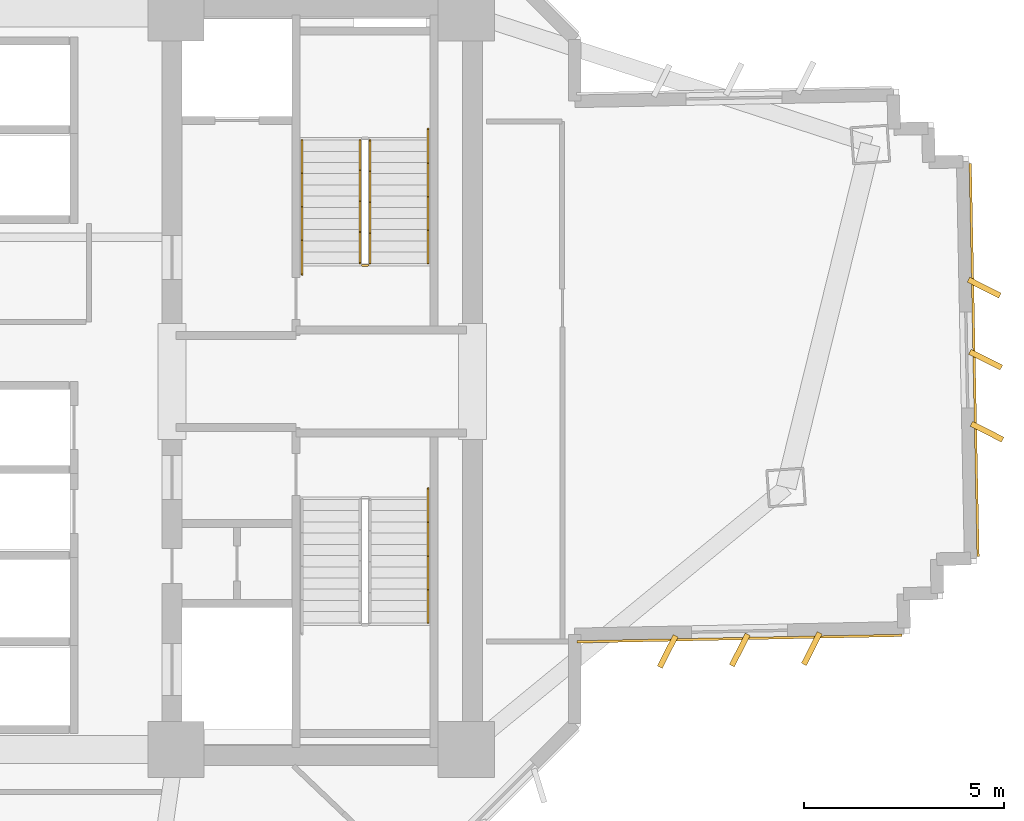
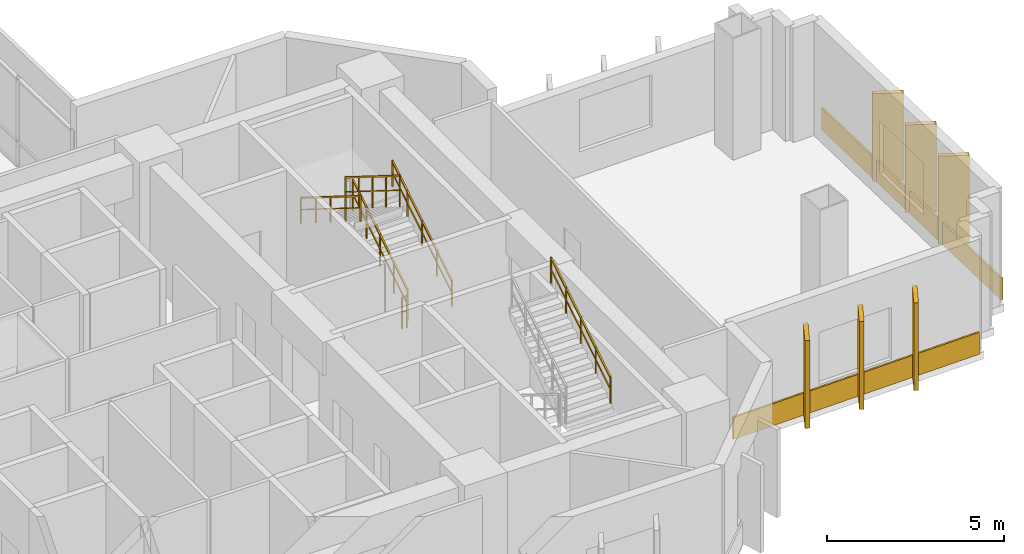
# One storey, part 13 of 15: 8 coverings, 6 railings.
"""IFC4 building model written with IfcOpenShell, lengths in metres."""

from ifc_helpers import new_model, si_unit, direction, frame, origin, origin_2d, place, context, subcontext, project, spatial, rectangle, extrude, source, transform, mapped, material, layer, layer_set, type_object, element, save


model = new_model("IFC4")

# Units and contexts
model_context = context("Model", 3, precision=1e-05, world=origin(), true_north=direction((0.0, 1.0)))
body_context = subcontext(model_context, "Body", "Model", "MODEL_VIEW")
ifc_project = project(units=[si_unit("LENGTHUNIT", "METRE"), si_unit("AREAUNIT", "SQUARE_METRE"), si_unit("VOLUMEUNIT", "CUBIC_METRE"), si_unit("PLANEANGLEUNIT", "RADIAN"), si_unit("MASSUNIT", "GRAM", prefix="KILO")], contexts=[model_context])

# Site, building, storey
site_placement = place(None, origin())
site = spatial("IfcSite", under=ifc_project, at=site_placement, CompositionType="ELEMENT")
building_placement = place(site_placement, origin())
building = spatial("IfcBuilding", under=site, at=building_placement, Name="Zahravan Cultural Tower", CompositionType="ELEMENT")
storey_placement = place(building_placement, frame((0.0, 0.0, 41.699951171875)))
storey = spatial("IfcBuildingStorey", under=building, at=storey_placement, Name="L08", CompositionType="ELEMENT", Elevation=41.699951171875)

# Railings
ifc_material_1 = material(Name="Steel ASTM A572 Grade 50", Category="steel")
railing_type_1 = type_object("IfcRailingType", Name="RL-STAIR-GRD1150", PredefinedType="BALUSTRADE", material=ifc_material_1)
railing_1_placement = place(storey_placement, frame((47.949951171875, 29.949951171875, 0.175048828125)))
element("IfcRailing", 1, at=railing_1_placement, inside=storey, type_object=railing_type_1, Name="L08 ST-E1 stair guard 1", PredefinedType="BALUSTRADE", context=body_context, shape_type="SweptSolid", body=[
    extrude(rectangle(XDim=0.05, YDim=0.05, at=origin_2d()), frame((0.0, 0.0, 1.0751953125), z_axis=(0.0, 0.847998304005, 0.529998940003), x_axis=(-1.0, 0.0, 0.0)), (0.0, 0.0, 1.0), 3.632080078125),
    extrude(rectangle(XDim=0.032, YDim=0.032, at=origin_2d()), frame((0.0, 0.0, 0.572021484375), z_axis=(0.0, 0.847998304005, 0.529998940003), x_axis=(-1.0, 0.0, 0.0)), (0.0, 0.0, 1.0), 3.632080078125),
    extrude(rectangle(XDim=0.04, YDim=0.04, at=origin_2d()), origin(), (0.0, 0.0, 1.0), 1.10009765625),
    extrude(rectangle(XDim=0.04, YDim=0.04, at=origin_2d()), frame((0.0, 0.77001953125, 0.481201171875)), (0.0, 0.0, 1.0), 1.10009765625),
    extrude(rectangle(XDim=0.04, YDim=0.04, at=origin_2d()), frame((0.0, 1.5400390625, 0.96240234375)), (0.0, 0.0, 1.0), 1.10009765625),
    extrude(rectangle(XDim=0.04, YDim=0.04, at=origin_2d()), frame((0.0, 2.31005859375, 1.44384765625)), (0.0, 0.0, 1.0), 1.10009765625),
    extrude(rectangle(XDim=0.04, YDim=0.04, at=origin_2d()), frame((0.0, 3.080078125, 1.925048828125)), (0.0, 0.0, 1.0), 1.10009765625),
])
railing_2_placement = place(storey_placement, frame((47.699951171875, 33.030029296875, 2.275146484375)))
element("IfcRailing", 2, at=railing_2_placement, inside=storey, type_object=railing_type_1, Name="L08 ST-E1 stair guard 3", PredefinedType="BALUSTRADE", context=body_context, shape_type="SweptSolid", body=[
    extrude(rectangle(XDim=0.05, YDim=0.05, at=origin_2d()), frame((0.0, 0.0, 1.0751953125), z_axis=(0.0, -0.848028513186, 0.529950602248), x_axis=(1.0, 0.0, 0.0)), (0.0, 0.0, 1.0), 3.632080078125),
    extrude(rectangle(XDim=0.032, YDim=0.032, at=origin_2d()), frame((0.0, 0.0, 0.572021484375), z_axis=(0.0, -0.848028513186, 0.529950602248), x_axis=(1.0, 0.0, 0.0)), (0.0, 0.0, 1.0), 3.632080078125),
    extrude(rectangle(XDim=0.04, YDim=0.04, at=origin_2d()), origin(), (0.0, 0.0, 1.0), 1.10009765625),
    extrude(rectangle(XDim=0.04, YDim=0.04, at=origin_2d()), frame((0.0, -0.77001953125, 0.481201171875)), (0.0, 0.0, 1.0), 1.10009765625),
    extrude(rectangle(XDim=0.04, YDim=0.04, at=origin_2d()), frame((0.0, -1.5400390625, 0.96240234375)), (0.0, 0.0, 1.0), 1.10009765625),
    extrude(rectangle(XDim=0.04, YDim=0.04, at=origin_2d()), frame((0.0, -2.31005859375, 1.443603515625)), (0.0, 0.0, 1.0), 1.10009765625),
    extrude(rectangle(XDim=0.04, YDim=0.04, at=origin_2d()), frame((0.0, -3.080078125, 1.9248046875)), (0.0, 0.0, 1.0), 1.10009765625),
])
railing_3_placement = place(storey_placement, frame((47.89990234375, 29.89990234375, 0.0)))
element("IfcRailing", 3, at=railing_3_placement, inside=storey, type_object=railing_type_1, Name="L08 ST-E1 stair guard 4", PredefinedType="BALUSTRADE", context=body_context, shape_type="SweptSolid", body=[
    extrude(rectangle(XDim=0.05, YDim=0.05, at=origin_2d()), frame((0.0, 0.0, 1.0751953125), z_axis=(-1.0, 0.0, 0.0), x_axis=(0.0, -1.0, 0.0)), (0.0, 0.0, 1.0), 0.14990234375),
    extrude(rectangle(XDim=0.032, YDim=0.032, at=origin_2d()), frame((0.0, 0.0, 0.572021484375), z_axis=(-1.0, 0.0, 0.0), x_axis=(0.0, -1.0, 0.0)), (0.0, 0.0, 1.0), 0.14990234375),
    extrude(rectangle(XDim=0.04, YDim=0.04, at=origin_2d()), origin(), (0.0, 0.0, 1.0), 1.10009765625),
    extrude(rectangle(XDim=0.04, YDim=0.04, at=origin_2d()), frame((-0.14990234375, 0.0, 0.0)), (0.0, 0.0, 1.0), 1.10009765625),
])
railing_type_2 = type_object("IfcRailingType", Name="RL-STAIR-HR900", PredefinedType="HANDRAIL", material=ifc_material_1)
railing_4_placement = place(storey_placement, frame((49.39990234375, 29.949951171875, 0.175048828125)))
element("IfcRailing", 4, at=railing_4_placement, inside=storey, type_object=railing_type_2, Name="L08 ST-E1 stair handrail 1", PredefinedType="HANDRAIL", context=body_context, shape_type="SweptSolid", body=[
    extrude(rectangle(XDim=0.05, YDim=0.05, at=origin_2d()), frame((0.0, 0.0, 0.875), z_axis=(0.0, 0.847994842521, 0.530004478338), x_axis=(-1.0, 0.0, 0.0)), (0.0, 0.0, 1.0), 3.96240234375),
    extrude(rectangle(XDim=0.032, YDim=0.032, at=origin_2d()), frame((0.0, 0.0, 0.468017578125), z_axis=(0.0, 0.847994842521, 0.530004478338), x_axis=(-1.0, 0.0, 0.0)), (0.0, 0.0, 1.0), 3.96240234375),
    extrude(rectangle(XDim=0.04, YDim=0.04, at=origin_2d()), origin(), (0.0, 0.0, 1.0), 0.89990234375),
    extrude(rectangle(XDim=0.04, YDim=0.04, at=origin_2d()), frame((0.0, 0.840087890625, 0.52490234375)), (0.0, 0.0, 1.0), 0.89990234375),
    extrude(rectangle(XDim=0.04, YDim=0.04, at=origin_2d()), frame((0.0, 1.68017578125, 1.050048828125)), (0.0, 0.0, 1.0), 0.89990234375),
    extrude(rectangle(XDim=0.04, YDim=0.04, at=origin_2d()), frame((0.0, 2.52001953125, 1.5751953125)), (0.0, 0.0, 1.0), 0.89990234375),
    extrude(rectangle(XDim=0.04, YDim=0.04, at=origin_2d()), frame((0.0, 3.360107421875, 2.10009765625)), (0.0, 0.0, 1.0), 0.89990234375),
])
railing_5_placement = place(storey_placement, frame((46.25, 33.030029296875, 2.275146484375)))
element("IfcRailing", 5, at=railing_5_placement, inside=storey, type_object=railing_type_2, Name="L08 ST-E1 stair handrail 2", PredefinedType="HANDRAIL", context=body_context, shape_type="SweptSolid", body=[
    extrude(rectangle(XDim=0.05, YDim=0.05, at=origin_2d()), frame((0.0, 0.0, 0.875), z_axis=(0.0, -0.848022534174, 0.529960169762), x_axis=(1.0, 0.0, 0.0)), (0.0, 0.0, 1.0), 3.96240234375),
    extrude(rectangle(XDim=0.032, YDim=0.032, at=origin_2d()), frame((0.0, 0.0, 0.468017578125), z_axis=(0.0, -0.848022534174, 0.529960169762), x_axis=(1.0, 0.0, 0.0)), (0.0, 0.0, 1.0), 3.96240234375),
    extrude(rectangle(XDim=0.04, YDim=0.04, at=origin_2d()), origin(), (0.0, 0.0, 1.0), 0.89990234375),
    extrude(rectangle(XDim=0.04, YDim=0.04, at=origin_2d()), frame((0.0, -0.840087890625, 0.52490234375)), (0.0, 0.0, 1.0), 0.89990234375),
    extrude(rectangle(XDim=0.04, YDim=0.04, at=origin_2d()), frame((0.0, -1.68017578125, 1.0498046875)), (0.0, 0.0, 1.0), 0.89990234375),
    extrude(rectangle(XDim=0.04, YDim=0.04, at=origin_2d()), frame((0.0, -2.52001953125, 1.574951171875)), (0.0, 0.0, 1.0), 0.89990234375),
    extrude(rectangle(XDim=0.04, YDim=0.04, at=origin_2d()), frame((0.0, -3.360107421875, 2.099853515625)), (0.0, 0.0, 1.0), 0.89990234375),
])
railing_6_placement = place(storey_placement, frame((49.39990234375, 20.969970703125, 2.275146484375)))
element("IfcRailing", 6, at=railing_6_placement, inside=storey, type_object=railing_type_2, Name="L08 ST-E2 stair handrail 2", PredefinedType="HANDRAIL", context=body_context, shape_type="SweptSolid", body=[
    extrude(rectangle(XDim=0.05, YDim=0.05, at=origin_2d()), frame((0.0, 0.0, 0.875), z_axis=(0.0, 0.848022534174, 0.529960169762), x_axis=(-1.0, 0.0, 0.0)), (0.0, 0.0, 1.0), 3.96240234375),
    extrude(rectangle(XDim=0.032, YDim=0.032, at=origin_2d()), frame((0.0, 0.0, 0.468017578125), z_axis=(0.0, 0.848022534174, 0.529960169762), x_axis=(-1.0, 0.0, 0.0)), (0.0, 0.0, 1.0), 3.96240234375),
    extrude(rectangle(XDim=0.04, YDim=0.04, at=origin_2d()), origin(), (0.0, 0.0, 1.0), 0.89990234375),
    extrude(rectangle(XDim=0.04, YDim=0.04, at=origin_2d()), frame((0.0, 0.840087890625, 0.52490234375)), (0.0, 0.0, 1.0), 0.89990234375),
    extrude(rectangle(XDim=0.04, YDim=0.04, at=origin_2d()), frame((0.0, 1.68017578125, 1.0498046875)), (0.0, 0.0, 1.0), 0.89990234375),
    extrude(rectangle(XDim=0.04, YDim=0.04, at=origin_2d()), frame((0.0, 2.52001953125, 1.574951171875)), (0.0, 0.0, 1.0), 0.89990234375),
    extrude(rectangle(XDim=0.04, YDim=0.04, at=origin_2d()), frame((0.0, 3.360107421875, 2.099853515625)), (0.0, 0.0, 1.0), 0.89990234375),
])

# Coverings
ifc_material_2 = material(Name="Terracotta ceramic cladding", Category="masonry")
ifc_layer = layer(ifc_material_2, 0.06005859375)
ifc_layer_set = layer_set([ifc_layer], Name="Terracotta ceramic cladding")
covering_type = type_object("IfcCoveringType", Name="COV-CLAD-TC60", PredefinedType="CLADDING", material=ifc_layer_set)
shared_shape_1 = source(origin(), body_context, "Body", "SweptSolid", [
    extrude(rectangle(XDim=9.820068359375, YDim=0.06005859375, at=origin_2d()), origin(), (0.0, 0.0, 1.0), 0.760009765625),
])
covering_1_placement = place(storey_placement, frame((63.03955078125, 27.5380859375, 0.02001953125), z_axis=(0.0, 0.0, 1.0), x_axis=(0.019895440708, -0.999802066131, 0.0)))
element("IfcCovering", 7, at=covering_1_placement, inside=storey, type_object=covering_type, Name="L08 Terracotta Spandrel Cladding 06", PredefinedType="CLADDING", context=body_context, shape_type="MappedRepresentation", body=[
    mapped(shared_shape_1, transform((0.0, 0.0, 0.0), x_axis=(1.0, 0.0, 0.0), y_axis=(0.0, 1.0, 0.0), z_axis=(0.0, 0.0, 1.0), scale=1.0)),
])
shared_shape_2 = source(origin(), body_context, "Body", "SweptSolid", [
    extrude(rectangle(XDim=0.8798828125, YDim=0.139892578125, at=origin_2d()), origin(), (0.0, 0.0, 1.0), 3.030029296875),
])
for number, where, z_axis, x_axis, name in (
    (8, (63.288818359375, 29.343505859375, 0.0498046875), (0.0, 0.0, 1.0), (0.892113171267, -0.451812006981, 0.0), "L08 Herringbone Terracotta Fin 04"),
    (9, (63.32470703125, 27.543701171875, 0.0498046875), (0.0, 0.0, 1.0), (0.892113171267, -0.451812006981, 0.0), "L08 Herringbone Terracotta Fin 05"),
    (10, (63.3603515625, 25.744140625, 0.0498046875), (0.0, 0.0, 1.0), (0.892113171267, -0.451812006981, 0.0), "L08 Herringbone Terracotta Fin 06"),
    (11, (58.982666015625, 20.325927734375, 0.0498046875), (0.0, 0.0, 1.0), (-0.4517964366, -0.892121056738, 0.0), "L08 Herringbone Terracotta Fin 07"),
    (12, (57.18310546875, 20.2900390625, 0.0498046875), (0.0, 0.0, 1.0), (-0.4517964366, -0.892121056738, 0.0), "L08 Herringbone Terracotta Fin 08"),
    (13, (55.383544921875, 20.25439453125, 0.0498046875), (0.0, 0.0, 1.0), (-0.4517964366, -0.892121056738, 0.0), "L08 Herringbone Terracotta Fin 09"),
):
    element("IfcCovering", number, at=place(storey_placement, frame(where, z_axis=z_axis, x_axis=x_axis)), inside=storey, type_object=covering_type, Name=name, PredefinedType="CLADDING", context=body_context, shape_type="MappedRepresentation", body=[
        mapped(shared_shape_2, transform((0.0, 0.0, 0.0), x_axis=(1.0, 0.0, 0.0), y_axis=(0.0, 1.0, 0.0), z_axis=(0.0, 0.0, 1.0), scale=1.0)),
    ])
shared_shape_3 = source(origin(), body_context, "Body", "SweptSolid", [
    extrude(rectangle(XDim=8.129150390625, YDim=0.06005859375, at=origin_2d()), origin(), (0.0, 0.0, 1.0), 0.760009765625),
])
covering_2_placement = place(storey_placement, frame((57.177490234375, 20.574951171875, 0.02001953125), z_axis=(0.0, 0.0, 1.0), x_axis=(-0.999801718737, -0.019912890543, 0.0)))
element("IfcCovering", 14, at=covering_2_placement, inside=storey, type_object=covering_type, Name="L08 Terracotta Spandrel Cladding 11", PredefinedType="CLADDING", context=body_context, shape_type="MappedRepresentation", body=[
    mapped(shared_shape_3, transform((0.0, 0.0, 0.0), x_axis=(1.0, 0.0, 0.0), y_axis=(0.0, 1.0, 0.0), z_axis=(0.0, 0.0, 1.0), scale=1.0)),
])

save(model, "model.ifc")
